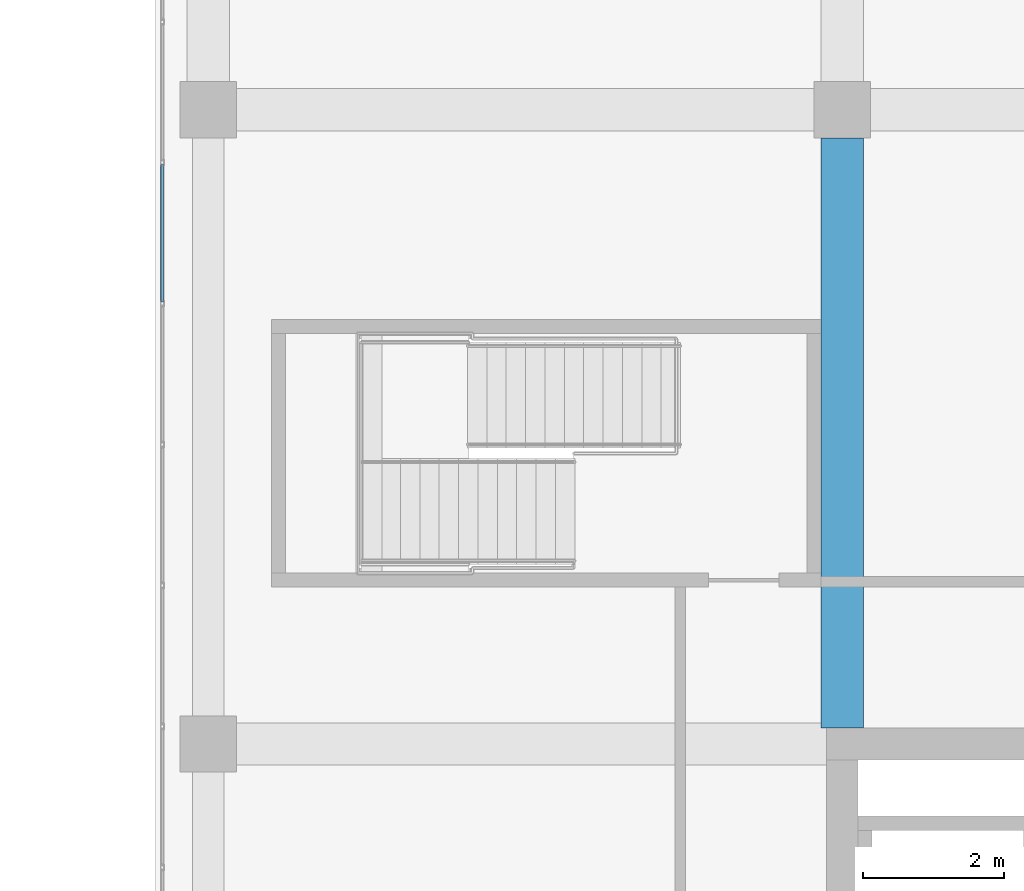
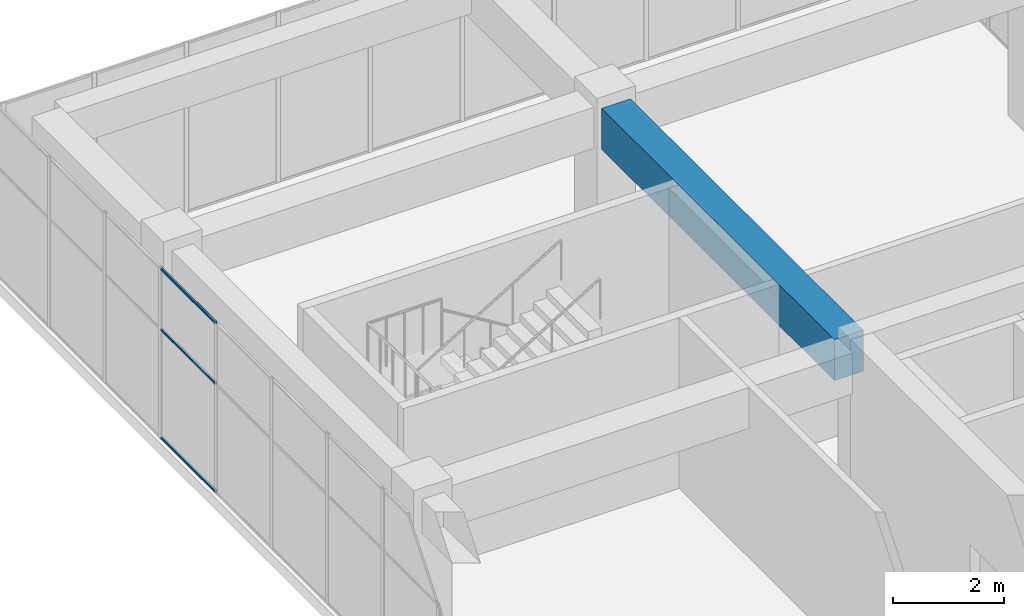
# One storey, part 30 of 65: 3 members, 1 beam, 1 element without a shape of its own.
"""IFC4 building model written with IfcOpenShell, lengths in metres."""

from ifc_helpers import new_model, si_unit, direction, frame, origin, origin_2d, place, context, subcontext, project, spatial, rectangle, hollow_rectangle, extrude, material, layer, layer_set, material_profile, profile_set, type_object, element, aggregate, save


model = new_model("IFC4")

# Units and contexts
model_context = context("Model", 3, precision=1e-05, world=origin(), true_north=direction((0.0, 1.0)))
body_context = subcontext(model_context, "Body", "Model", "MODEL_VIEW")
ifc_project = project(units=[si_unit("LENGTHUNIT", "METRE"), si_unit("AREAUNIT", "SQUARE_METRE"), si_unit("VOLUMEUNIT", "CUBIC_METRE"), si_unit("PLANEANGLEUNIT", "RADIAN"), si_unit("MASSUNIT", "GRAM", prefix="KILO")], contexts=[model_context])

# Site, building, storey
site_placement = place(None, origin())
site = spatial("IfcSite", under=ifc_project, at=site_placement, CompositionType="ELEMENT")
building_placement = place(site_placement, origin())
building = spatial("IfcBuilding", under=site, at=building_placement, Name="Tuart Plaza Theatre", CompositionType="ELEMENT")
storey_placement = place(building_placement, frame((0.0, 0.0, 9.5)))
storey = spatial("IfcBuildingStorey", under=building, at=storey_placement, Name="L02", CompositionType="ELEMENT", Elevation=9.5)

# Beam
ifc_material_1 = material(Name="Concrete N40 (40 MPa)", Category="concrete")
ifc_material_profile_1 = material_profile(ifc_material_1, rectangle(XDim=0.60009765625, YDim=0.89990234375, at=origin_2d()), Name="BEAM 600x900 Concrete N40 (40 MPa)")
ifc_profile_set_1 = profile_set([ifc_material_profile_1], Name="Concrete N40 (40 MPa)")
beam_type = type_object("IfcBeamType", Name="BEAM 600x900 Concrete N40 (40 MPa)", PredefinedType="BEAM", material=ifc_profile_set_1)
beam_placement = place(storey_placement, frame((123.0, 83.22509765625, 3.300048828125), z_axis=(0.0, 1.0, 0.0), x_axis=(-1.0, 0.0, 0.0)))
element("IfcBeam", 1, at=beam_placement, inside=storey, type_object=beam_type, Name="RB177", PredefinedType="BEAM", context=body_context, shape_type="SweptSolid", body=[
    extrude(rectangle(XDim=0.60009765625, YDim=0.89990234375, at=origin_2d()), origin(), (0.0, 0.0, 1.0), 8.375),
])

# Curtain wall, members
ifc_material_2 = material(Name="Aluminium and glass", Category="aluminium")
ifc_layer = layer(ifc_material_2, 0.10009765625)
ifc_layer_set = layer_set([ifc_layer], Name="CURTAIN WALL 2000 module")
curtain_wall_type = type_object("IfcCurtainWallType", Name="CURTAIN WALL 2000 module", PredefinedType="NOTDEFINED", material=ifc_layer_set)
curtain_wall_placement = place(storey_placement, origin())
curtain_wall = element("IfcCurtainWall", 2, at=curtain_wall_placement, inside=storey, type_object=curtain_wall_type, Name="CW73", PredefinedType="NOTDEFINED")
ifc_material_3 = material(Name="Aluminium 6063-T5", Category="aluminium")
ifc_material_profile_2 = material_profile(ifc_material_3, hollow_rectangle(XDim=0.050048828125, YDim=0.050048828125, WallThickness=0.00390625, InnerFilletRadius=0.00390625, OuterFilletRadius=0.008056640625, at=origin_2d()), Name="RHS 50x50x4")
ifc_profile_set_2 = profile_set([ifc_material_profile_2], Name="Aluminium 6063-T5")
member_type = type_object("IfcMemberType", Name="TRANSOM RHS 50x50x4", PredefinedType="USERDEFINED", material=ifc_profile_set_2)
member_1_placement = place(storey_placement, frame((113.35009765625, 91.22509765625, 0.02490234375), z_axis=(0.0, -1.0, 0.0), x_axis=(1.0, 0.0, 0.0)))
member_1 = element("IfcMember", 3, at=member_1_placement, type_object=member_type, Name="CW73 transom 4.1", ObjectType="TRANSOM", PredefinedType="USERDEFINED", context=body_context, shape_type="SweptSolid", body=[
    extrude(hollow_rectangle(XDim=0.050048828125, YDim=0.050048828125, WallThickness=0.00390625, InnerFilletRadius=0.00390625, OuterFilletRadius=0.008056640625, at=origin_2d()), origin(), (0.0, 0.0, 1.0), 1.9501953125),
])
member_2_placement = place(storey_placement, frame((113.35009765625, 91.22509765625, 2.39990234375), z_axis=(0.0, -1.0, 0.0), x_axis=(1.0, 0.0, 0.0)))
member_2 = element("IfcMember", 4, at=member_2_placement, type_object=member_type, Name="CW73 transom 4.2", ObjectType="TRANSOM", PredefinedType="USERDEFINED", context=body_context, shape_type="SweptSolid", body=[
    extrude(hollow_rectangle(XDim=0.050048828125, YDim=0.050048828125, WallThickness=0.00390625, InnerFilletRadius=0.00390625, OuterFilletRadius=0.008056640625, at=origin_2d()), origin(), (0.0, 0.0, 1.0), 1.9501953125),
])
member_3_placement = place(storey_placement, frame((113.35009765625, 91.22509765625, 3.72509765625), z_axis=(0.0, -1.0, 0.0), x_axis=(1.0, 0.0, 0.0)))
member_3 = element("IfcMember", 5, at=member_3_placement, type_object=member_type, Name="CW73 transom 4.3", ObjectType="TRANSOM", PredefinedType="USERDEFINED", context=body_context, shape_type="SweptSolid", body=[
    extrude(hollow_rectangle(XDim=0.050048828125, YDim=0.050048828125, WallThickness=0.00390625, InnerFilletRadius=0.00390625, OuterFilletRadius=0.008056640625, at=origin_2d()), origin(), (0.0, 0.0, 1.0), 1.9501953125),
])
aggregate(curtain_wall, [member_1, member_2, member_3])

save(model, "model.ifc")
